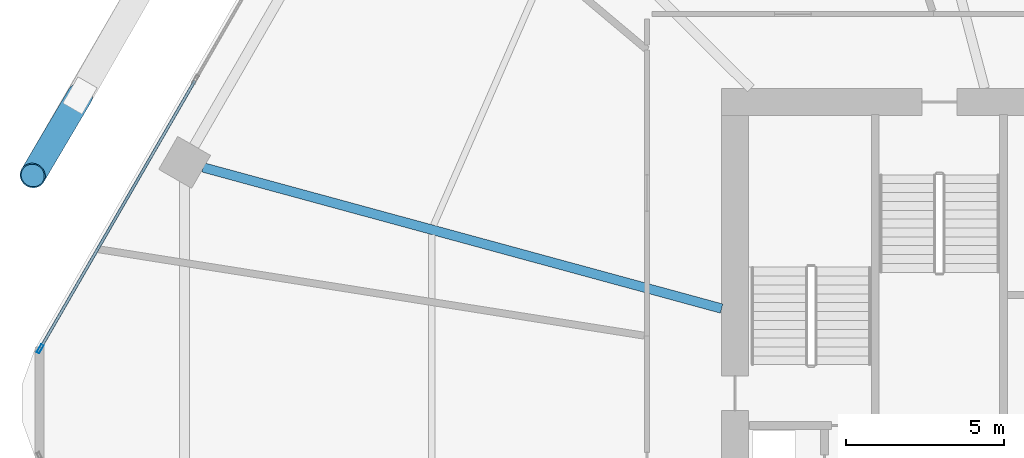
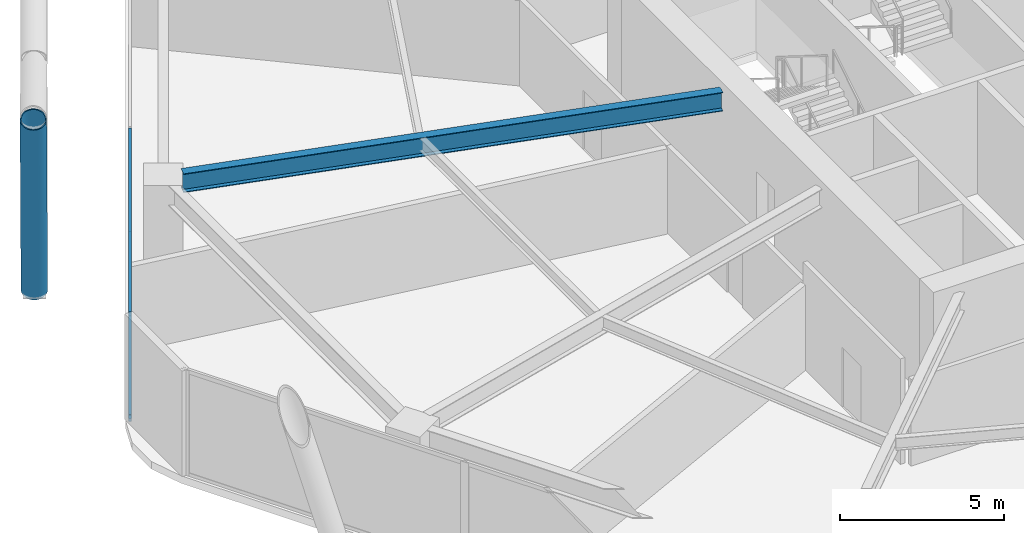
# One storey, part 13 of 28: 4 members, 1 beam, 1 element without a shape of its own.
"""IFC4 building model written with IfcOpenShell, lengths in metres."""

from ifc_helpers import new_model, si_unit, direction, frame, origin, origin_2d, place, context, subcontext, project, spatial, hollow_rectangle, hollow_circle, i_section, extrude, material, material_profile, profile_set, type_object, element, aggregate, save


model = new_model("IFC4")

# Units and contexts
model_context = context("Model", 3, precision=1e-05, world=origin(), true_north=direction((0.0, 1.0)))
body_context = subcontext(model_context, "Body", "Model", "MODEL_VIEW")
ifc_project = project(units=[si_unit("LENGTHUNIT", "METRE"), si_unit("AREAUNIT", "SQUARE_METRE"), si_unit("VOLUMEUNIT", "CUBIC_METRE"), si_unit("PLANEANGLEUNIT", "RADIAN"), si_unit("MASSUNIT", "GRAM", prefix="KILO")], contexts=[model_context])

# Site, building, storey
site_placement = place(None, origin())
site = spatial("IfcSite", under=ifc_project, at=site_placement, CompositionType="ELEMENT")
building_placement = place(site_placement, origin())
building = spatial("IfcBuilding", under=site, at=building_placement, Name="Zuhravey Tower", CompositionType="ELEMENT")
storey_placement = place(building_placement, frame((0.0, 0.0, 49.800048828125)))
storey = spatial("IfcBuildingStorey", under=building, at=storey_placement, Name="L12", CompositionType="ELEMENT", Elevation=49.800048828125)

# Curtain wall, members
ifc_material_1 = material(Name="Thermally broken anodised aluminium", Category="aluminium")
curtain_wall_type = type_object("IfcCurtainWallType", Name="School Low-E Unitised Curtain Wall CW1", PredefinedType="NOTDEFINED", material=ifc_material_1)
curtain_wall_placement = place(storey_placement, origin())
curtain_wall = element("IfcCurtainWall", 1, at=curtain_wall_placement, inside=storey, type_object=curtain_wall_type, Name="L12 CW1 CW-L12-F3-1", PredefinedType="NOTDEFINED")
ifc_material_2 = material(Name="Anodised aluminium", Category="aluminium")
ifc_material_profile_1 = material_profile(ifc_material_2, hollow_rectangle(XDim=0.090087890625, YDim=0.284912109375, WallThickness=0.0048828125, at=origin_2d()), Name="ALU-RHS-90x285x5")
ifc_profile_set_1 = profile_set([ifc_material_profile_1], Name="Anodised aluminium")
member_type_1 = type_object("IfcMemberType", Name="Curtain-Wall Mullion 90x180", PredefinedType="MULLION", material=ifc_profile_set_1)
member_1_placement = place(storey_placement, frame((3.5439453125, 33.701416015625, 0.0), z_axis=(0.0, 0.0, 1.0), x_axis=(-0.86602552265, 0.499999794119, 0.0)))
member_1 = element("IfcMember", 2, at=member_1_placement, type_object=member_type_1, Name="CW1 mullion 1", PredefinedType="MULLION", context=body_context, shape_type="SweptSolid", body=[
    extrude(hollow_rectangle(XDim=0.090087890625, YDim=0.284912109375, WallThickness=0.0048828125, at=origin_2d()), origin(), (0.0, 0.0, 1.0), 3.919921875),
])
ifc_material_profile_2 = material_profile(ifc_material_2, hollow_rectangle(XDim=0.090087890625, YDim=0.14990234375, WallThickness=0.0048828125, at=origin_2d()), Name="ALU-RHS-90x150x5")
ifc_profile_set_2 = profile_set([ifc_material_profile_2], Name="Anodised aluminium")
member_type_2 = type_object("IfcMemberType", Name="Curtain-Wall Transom 90x150", PredefinedType="USERDEFINED", material=ifc_profile_set_2)
member_2_placement = place(storey_placement, frame((3.56640625, 33.740478515625, 0.044921875), z_axis=(0.500008393077, 0.866020557985, 0.0), x_axis=(-0.866020557985, 0.500008393077, 0.0)))
member_2 = element("IfcMember", 3, at=member_2_placement, type_object=member_type_2, Name="CW1 transom 1.1", ObjectType="TRANSOM", PredefinedType="USERDEFINED", context=body_context, shape_type="SweptSolid", body=[
    extrude(hollow_rectangle(XDim=0.090087890625, YDim=0.14990234375, WallThickness=0.0048828125, at=origin_2d()), origin(), (0.0, 0.0, 1.0), 9.731201171875),
])
member_3_placement = place(storey_placement, frame((3.56640625, 33.740478515625, 3.875), z_axis=(0.500008393077, 0.866020557985, 0.0), x_axis=(-0.866020557985, 0.500008393077, 0.0)))
member_3 = element("IfcMember", 4, at=member_3_placement, type_object=member_type_2, Name="CW1 transom 1.2", ObjectType="TRANSOM", PredefinedType="USERDEFINED", context=body_context, shape_type="SweptSolid", body=[
    extrude(hollow_rectangle(XDim=0.090087890625, YDim=0.14990234375, WallThickness=0.0048828125, at=origin_2d()), origin(), (0.0, 0.0, 1.0), 9.731201171875),
])
aggregate(curtain_wall, [member_1, member_2, member_3])

# Member
ifc_material_3 = material(Name="Steel SM460", Category="steel")
ifc_material_profile_3 = material_profile(ifc_material_3, hollow_circle(Radius=0.406494140625, WallThickness=0.035888671875, at=origin_2d()), Name="CHS-812.8x36")
ifc_profile_set_3 = profile_set([ifc_material_profile_3], Name="Steel SM460")
member_type_3 = type_object("IfcMemberType", Name="Exoskeleton Zone 1 Diagrid CHS813x36", PredefinedType="BRACE", material=ifc_profile_set_3)
member_4_placement = place(storey_placement, frame((4.80029296875, 41.697509765625, -0.47216796875), z_axis=(-0.168252707404, -0.284639904708, 0.943753755542), x_axis=(0.860851811268, -0.508855734995, 0.0)))
element("IfcMember", 5, at=member_4_placement, inside=storey, type_object=member_type_3, Name="L12 Face 3 Diagrid Brace 4", PredefinedType="BRACE", context=body_context, shape_type="SweptSolid", body=[
    extrude(hollow_circle(Radius=0.406494140625, WallThickness=0.035888671875, at=origin_2d()), origin(), (0.0, 0.0, 1.0), 8.854248046875),
])

# Beam
ifc_material_4 = material(Name="Steel SM355", Category="steel")
ifc_material_profile_4 = material_profile(ifc_material_4, i_section(OverallWidth=0.300048828125, OverallDepth=0.699951171875, WebThickness=0.012939453125, FlangeThickness=0.02392578125, at=origin_2d()), Name="H-700x300x13x24")
ifc_profile_set_4 = profile_set([ifc_material_profile_4], Name="Steel SM355")
beam_type = type_object("IfcBeamType", Name="Radial Primary Girder H700x300", PredefinedType="BEAM", material=ifc_profile_set_4)
beam_placement = place(storey_placement, frame((25.072021484375, 34.974609375, 3.570068359375), z_axis=(-0.964892480455, 0.26264520015, 0.0), x_axis=(-0.26264520015, -0.964892480455, 0.0)))
element("IfcBeam", 6, at=beam_placement, inside=storey, type_object=beam_type, Name="L12 RG1 BM-L12-RAD-06", PredefinedType="BEAM", context=body_context, shape_type="SweptSolid", body=[
    extrude(i_section(OverallWidth=0.300048828125, OverallDepth=0.699951171875, WebThickness=0.012939453125, FlangeThickness=0.02392578125, at=origin_2d()), origin(), (0.0, 0.0, 1.0), 16.975341796875),
])

save(model, "model.ifc")
